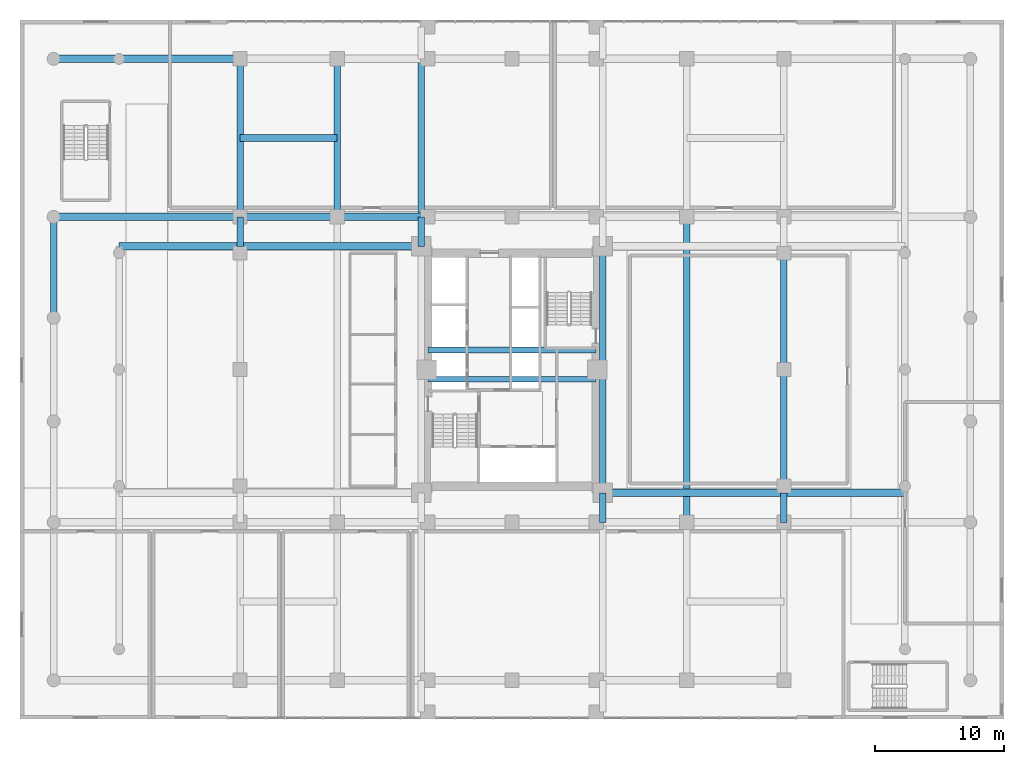
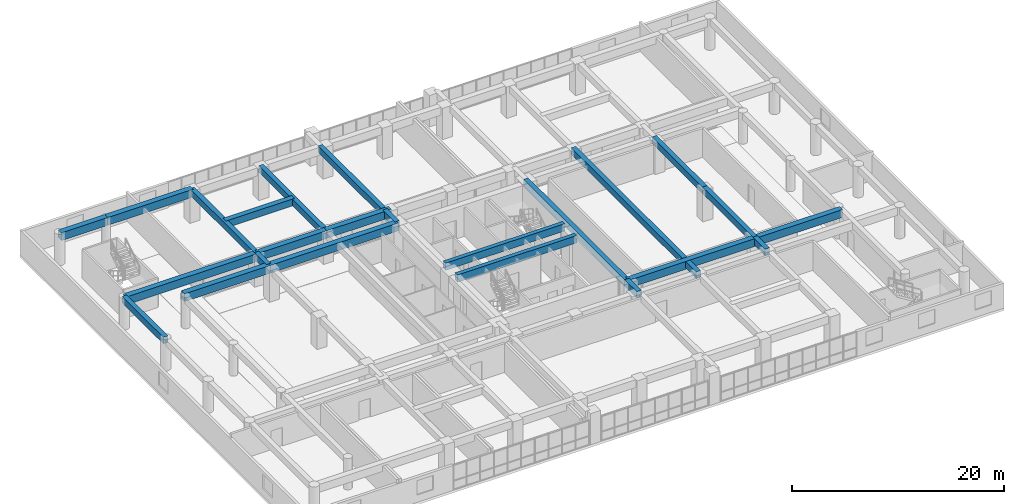
# One storey, part 9 of 30: 24 beams.
"""IFC4 building model written with IfcOpenShell, lengths in metres."""

from ifc_helpers import new_model, si_unit, direction, frame, origin, origin_2d, place, context, subcontext, project, spatial, rectangle, extrude, source, transform, mapped, material, material_profile, profile_set, type_object, element, save


model = new_model("IFC4")

# Units and contexts
model_context = context("Model", 3, precision=1e-05, world=origin(), true_north=direction((0.0, 1.0)))
body_context = subcontext(model_context, "Body", "Model", "MODEL_VIEW")
ifc_project = project(units=[si_unit("LENGTHUNIT", "METRE"), si_unit("AREAUNIT", "SQUARE_METRE"), si_unit("VOLUMEUNIT", "CUBIC_METRE"), si_unit("PLANEANGLEUNIT", "RADIAN"), si_unit("MASSUNIT", "GRAM", prefix="KILO")], contexts=[model_context])

# Site, building, storey
site_placement = place(None, origin())
site = spatial("IfcSite", under=ifc_project, at=site_placement, CompositionType="ELEMENT")
building_placement = place(site_placement, origin())
building = spatial("IfcBuilding", under=site, at=building_placement, Name="Saelheon Loggia Tower", CompositionType="ELEMENT")
storey_placement = place(building_placement, frame((0.0, 0.0, 7.800048828125)))
storey = spatial("IfcBuildingStorey", under=building, at=storey_placement, Name="L02", CompositionType="ELEMENT", Elevation=7.800048828125)

# Beams
ifc_material_1 = material(Name="Concrete C50/60", Category="concrete")
ifc_material_profile_1 = material_profile(ifc_material_1, rectangle(XDim=0.449951171875, YDim=0.85009765625, at=origin_2d()), Name="RC-450x850")
ifc_profile_set_1 = profile_set([ifc_material_profile_1], Name="Concrete C50/60")
beam_type_1 = type_object("IfcBeamType", Name="Beam_CoreLintel_RC450x850", PredefinedType="LINTEL", material=ifc_profile_set_1)
shared_shape_1 = source(origin(), body_context, "Body", "SweptSolid", [
    extrude(rectangle(XDim=0.449951171875, YDim=0.85009765625, at=origin_2d()), origin(), (0.0, 0.0, 1.0), 13.0),
])
for number, where, z_axis, x_axis, name in (
    (1, (31.5, 26.25, 3.175048828125), (1.0, 0.0, 0.0), (0.0, 1.0, 0.0), "L02 Core Coupling Lintel 1"),
    (2, (31.5, 28.5, 3.175048828125), (1.0, 0.0, 0.0), (0.0, 1.0, 0.0), "L02 Core Coupling Lintel 2"),
):
    element("IfcBeam", number, at=place(storey_placement, frame(where, z_axis=z_axis, x_axis=x_axis)), inside=storey, type_object=beam_type_1, Name=name, PredefinedType="LINTEL", context=body_context, shape_type="MappedRepresentation", body=[
        mapped(shared_shape_1, transform((0.0, 0.0, 0.0), scale=1.0)),
    ])
ifc_material_profile_2 = material_profile(ifc_material_1, rectangle(XDim=0.60009765625, YDim=0.89990234375, at=origin_2d()), Name="RC-600x900")
ifc_profile_set_2 = profile_set([ifc_material_profile_2], Name="Concrete C50/60")
beam_type_2 = type_object("IfcBeamType", Name="Beam_MainGirder_RC600x900", PredefinedType="BEAM", material=ifc_profile_set_2)
shared_shape_2 = source(origin(), body_context, "Body", "SweptSolid", [
    extrude(rectangle(XDim=0.60009765625, YDim=0.89990234375, at=origin_2d()), origin(), (0.0, 0.0, 1.0), 14.39990234375),
])
beam_1_placement = place(storey_placement, frame((2.60009765625, 38.800048828125, 3.14990234375), z_axis=(1.0, 0.0, 0.0), x_axis=(0.0, 1.0, 0.0)))
element("IfcBeam", 3, at=beam_1_placement, inside=storey, type_object=beam_type_2, Name="BM-L02-EW-38-1", PredefinedType="BEAM", context=body_context, shape_type="MappedRepresentation", body=[
    mapped(shared_shape_2, transform((0.0, 0.0, 0.0), scale=1.0)),
])
shared_shape_3 = source(origin(), body_context, "Body", "SweptSolid", [
    extrude(rectangle(XDim=0.60009765625, YDim=0.89990234375, at=origin_2d()), origin(), (0.0, 0.0, 1.0), 7.5),
])
beam_2_placement = place(storey_placement, frame((17.0, 38.800048828125, 3.14990234375), z_axis=(1.0, 0.0, 0.0), x_axis=(0.0, 1.0, 0.0)))
element("IfcBeam", 4, at=beam_2_placement, inside=storey, type_object=beam_type_2, Name="BM-L02-EW-38-2", PredefinedType="BEAM", context=body_context, shape_type="MappedRepresentation", body=[
    mapped(shared_shape_3, transform((0.0, 0.0, 0.0), scale=1.0)),
])
shared_shape_4 = source(origin(), body_context, "Body", "SweptSolid", [
    extrude(rectangle(XDim=0.60009765625, YDim=0.89990234375, at=origin_2d()), origin(), (0.0, 0.0, 1.0), 7.0),
])
beam_3_placement = place(storey_placement, frame((24.5, 38.800048828125, 3.14990234375), z_axis=(1.0, 0.0, 0.0), x_axis=(0.0, 1.0, 0.0)))
element("IfcBeam", 5, at=beam_3_placement, inside=storey, type_object=beam_type_2, Name="BM-L02-EW-38-3", PredefinedType="BEAM", context=body_context, shape_type="MappedRepresentation", body=[
    mapped(shared_shape_4, transform((0.0, 0.0, 0.0), scale=1.0)),
])
shared_shape_5 = source(origin(), body_context, "Body", "SweptSolid", [
    extrude(rectangle(XDim=0.60009765625, YDim=0.89990234375, at=origin_2d()), origin(), (0.0, 0.0, 1.0), 5.0498046875),
])
beam_4_placement = place(storey_placement, frame((2.60009765625, 51.0, 3.14990234375), z_axis=(1.0, 0.0, 0.0), x_axis=(0.0, 1.0, 0.0)))
element("IfcBeam", 6, at=beam_4_placement, inside=storey, type_object=beam_type_2, Name="BM-L02-EW-51-1", PredefinedType="BEAM", context=body_context, shape_type="MappedRepresentation", body=[
    mapped(shared_shape_5, transform((0.0, 0.0, 0.0), scale=1.0)),
])
shared_shape_6 = source(origin(), body_context, "Body", "SweptSolid", [
    extrude(rectangle(XDim=0.60009765625, YDim=0.89990234375, at=origin_2d()), origin(), (0.0, 0.0, 1.0), 9.35009765625),
])
for number, where, z_axis, x_axis, name in (
    (7, (7.64990234375, 51.0, 3.14990234375), (1.0, 0.0, 0.0), (0.0, 1.0, 0.0), "BM-L02-EW-51-2"),
    (8, (59.0, 17.47998046875, 3.14990234375), (1.0, 0.0, 0.0), (0.0, 1.0, 0.0), "BM-L02-CT-17-E1"),
    (9, (7.64990234375, 36.52001953125, 3.14990234375), (1.0, 0.0, 0.0), (0.0, 1.0, 0.0), "BM-L02-CT-36-W1"),
):
    element("IfcBeam", number, at=place(storey_placement, frame(where, z_axis=z_axis, x_axis=x_axis)), inside=storey, type_object=beam_type_2, Name=name, PredefinedType="BEAM", context=body_context, shape_type="MappedRepresentation", body=[
        mapped(shared_shape_6, transform((0.0, 0.0, 0.0), scale=1.0)),
    ])
shared_shape_7 = source(origin(), body_context, "Body", "SweptSolid", [
    extrude(rectangle(XDim=0.60009765625, YDim=0.89990234375, at=origin_2d()), origin(), (0.0, 0.0, 1.0), 13.97998046875),
])
for number, where, z_axis, x_axis, name in (
    (10, (45.02001953125, 17.47998046875, 3.14990234375), (1.0, 0.0, 0.0), (0.0, 1.0, 0.0), "BM-L02-CT-17-E2"),
    (11, (17.0, 36.52001953125, 3.14990234375), (1.0, 0.0, 0.0), (0.0, 1.0, 0.0), "BM-L02-CT-36-W2"),
):
    element("IfcBeam", number, at=place(storey_placement, frame(where, z_axis=z_axis, x_axis=x_axis)), inside=storey, type_object=beam_type_2, Name=name, PredefinedType="BEAM", context=body_context, shape_type="MappedRepresentation", body=[
        mapped(shared_shape_7, transform((0.0, 0.0, 0.0), scale=1.0)),
    ])
ifc_material_2 = material(Name="Concrete C45/55", Category="concrete")
ifc_material_profile_3 = material_profile(ifc_material_2, rectangle(XDim=0.5, YDim=0.75, at=origin_2d()), Name="RC-500x750")
ifc_profile_set_3 = profile_set([ifc_material_profile_3], Name="Concrete C45/55")
beam_type_3 = type_object("IfcBeamType", Name="Beam_FloorGirder_RC500x750", PredefinedType="BEAM", material=ifc_profile_set_3)
shared_shape_8 = source(origin(), body_context, "Body", "SweptSolid", [
    extrude(rectangle(XDim=0.5, YDim=0.75, at=origin_2d()), origin(), (0.0, 0.0, 1.0), 12.199951171875),
])
for number, where, z_axis, x_axis, name in (
    (12, (17.0, 38.800048828125, 3.224853515625), (0.0, 1.0, 0.0), (-1.0, 0.0, 0.0), "BM-L02-NS-17-6"),
    (13, (24.5, 38.800048828125, 3.224853515625), (0.0, 1.0, 0.0), (-1.0, 0.0, 0.0), "BM-L02-NS-24-3"),
    (14, (30.97998046875, 38.800048828125, 3.224853515625), (0.0, 1.0, 0.0), (-1.0, 0.0, 0.0), "BM-L02-NS-30-6"),
):
    element("IfcBeam", number, at=place(storey_placement, frame(where, z_axis=z_axis, x_axis=x_axis)), inside=storey, type_object=beam_type_3, Name=name, PredefinedType="BEAM", context=body_context, shape_type="MappedRepresentation", body=[
        mapped(shared_shape_8, transform((0.0, 0.0, 0.0), scale=1.0)),
    ])
ifc_material_profile_4 = material_profile(ifc_material_2, rectangle(XDim=0.5, YDim=0.75, at=origin_2d()), Name="RC-500x750")
ifc_profile_set_4 = profile_set([ifc_material_profile_4], Name="Concrete C45/55")
beam_type_4 = type_object("IfcBeamType", Name="Beam_PerimGirder_RC500x750", PredefinedType="BEAM", material=ifc_profile_set_4)
shared_shape_9 = source(origin(), body_context, "Body", "SweptSolid", [
    extrude(rectangle(XDim=0.5, YDim=0.75, at=origin_2d()), origin(), (0.0, 0.0, 1.0), 7.800048828125),
])
beam_5_placement = place(storey_placement, frame((2.60009765625, 31.0, 3.224853515625), z_axis=(0.0, 1.0, 0.0), x_axis=(-1.0, 0.0, 0.0)))
element("IfcBeam", 15, at=beam_5_placement, inside=storey, type_object=beam_type_4, Name="BM-L02-NS-2-4", PredefinedType="BEAM", context=body_context, shape_type="MappedRepresentation", body=[
    mapped(shared_shape_9, transform((0.0, 0.0, 0.0), scale=1.0)),
])
shared_shape_10 = source(origin(), body_context, "Body", "SweptSolid", [
    extrude(rectangle(XDim=0.5, YDim=0.75, at=origin_2d()), origin(), (0.0, 0.0, 1.0), 9.52001953125),
])
for number, where, z_axis, x_axis, name in (
    (16, (59.0, 17.47998046875, 3.224853515625), (0.0, 1.0, 0.0), (-1.0, 0.0, 0.0), "BM-L02-NS-59-3"),
    (17, (59.0, 27.0, 3.224853515625), (0.0, 1.0, 0.0), (-1.0, 0.0, 0.0), "BM-L02-NS-59-4"),
):
    element("IfcBeam", number, at=place(storey_placement, frame(where, z_axis=z_axis, x_axis=x_axis)), inside=storey, type_object=beam_type_3, Name=name, PredefinedType="BEAM", context=body_context, shape_type="MappedRepresentation", body=[
        mapped(shared_shape_10, transform((0.0, 0.0, 0.0), scale=1.0)),
    ])
shared_shape_11 = source(origin(), body_context, "Body", "SweptSolid", [
    extrude(rectangle(XDim=0.5, YDim=0.75, at=origin_2d()), origin(), (0.0, 0.0, 1.0), 2.280029296875),
])
for number, where, z_axis, x_axis, name in (
    (18, (17.0, 36.52001953125, 3.224853515625), (0.0, 1.0, 0.0), (-1.0, 0.0, 0.0), "BM-L02-NS-17-5"),
    (19, (30.97998046875, 36.52001953125, 3.224853515625), (0.0, 1.0, 0.0), (-1.0, 0.0, 0.0), "BM-L02-NS-30-5"),
    (20, (45.02001953125, 15.199951171875, 3.224853515625), (0.0, 1.0, 0.0), (-1.0, 0.0, 0.0), "BM-L02-NS-45-3"),
    (21, (59.0, 15.199951171875, 3.224853515625), (0.0, 1.0, 0.0), (-1.0, 0.0, 0.0), "BM-L02-NS-59-2"),
):
    element("IfcBeam", number, at=place(storey_placement, frame(where, z_axis=z_axis, x_axis=x_axis)), inside=storey, type_object=beam_type_3, Name=name, PredefinedType="BEAM", context=body_context, shape_type="MappedRepresentation", body=[
        mapped(shared_shape_11, transform((0.0, 0.0, 0.0), scale=1.0)),
    ])
shared_shape_12 = source(origin(), body_context, "Body", "SweptSolid", [
    extrude(rectangle(XDim=0.5, YDim=0.75, at=origin_2d()), origin(), (0.0, 0.0, 1.0), 23.60009765625),
])
beam_6_placement = place(storey_placement, frame((51.5, 15.199951171875, 3.224853515625), z_axis=(0.0, 1.0, 0.0), x_axis=(-1.0, 0.0, 0.0)))
element("IfcBeam", 22, at=beam_6_placement, inside=storey, type_object=beam_type_3, Name="BM-L02-NS-51-2", PredefinedType="BEAM", context=body_context, shape_type="MappedRepresentation", body=[
    mapped(shared_shape_12, transform((0.0, 0.0, 0.0), scale=1.0)),
])
shared_shape_13 = source(origin(), body_context, "Body", "SweptSolid", [
    extrude(rectangle(XDim=0.5, YDim=0.75, at=origin_2d()), origin(), (0.0, 0.0, 1.0), 19.0400390625),
])
beam_7_placement = place(storey_placement, frame((45.02001953125, 17.47998046875, 3.224853515625), z_axis=(0.0, 1.0, 0.0), x_axis=(-1.0, 0.0, 0.0)))
element("IfcBeam", 23, at=beam_7_placement, inside=storey, type_object=beam_type_3, Name="BM-L02-NS-45-4", PredefinedType="BEAM", context=body_context, shape_type="MappedRepresentation", body=[
    mapped(shared_shape_13, transform((0.0, 0.0, 0.0), scale=1.0)),
])
ifc_material_profile_5 = material_profile(ifc_material_2, rectangle(XDim=0.550048828125, YDim=0.800048828125, at=origin_2d()), Name="RC-550x800")
ifc_profile_set_5 = profile_set([ifc_material_profile_5], Name="Concrete C45/55")
beam_type_5 = type_object("IfcBeamType", Name="Beam_ClinicGirder_RC550x800", PredefinedType="BEAM", material=ifc_profile_set_5)
shared_shape_14 = source(origin(), body_context, "Body", "SweptSolid", [
    extrude(rectangle(XDim=0.550048828125, YDim=0.800048828125, at=origin_2d()), origin(), (0.0, 0.0, 1.0), 7.5),
])
beam_8_placement = place(storey_placement, frame((17.0, 44.89990234375, 3.199951171875), z_axis=(1.0, 0.0, 0.0), x_axis=(0.0, 1.0, 0.0)))
element("IfcBeam", 24, at=beam_8_placement, inside=storey, type_object=beam_type_5, Name="JST-L02-CL-NW", PredefinedType="BEAM", context=body_context, shape_type="MappedRepresentation", body=[
    mapped(shared_shape_14, transform((0.0, 0.0, 0.0), scale=1.0)),
])

save(model, "model.ifc")
